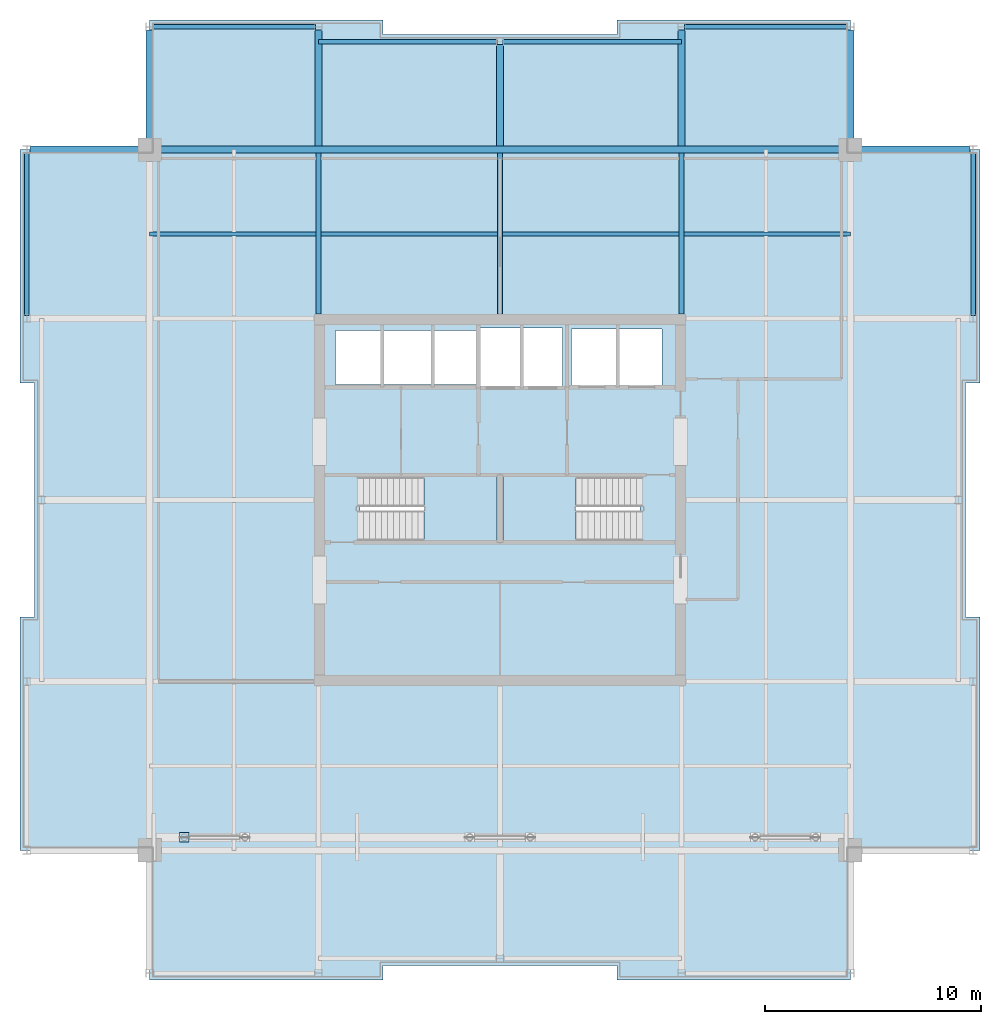
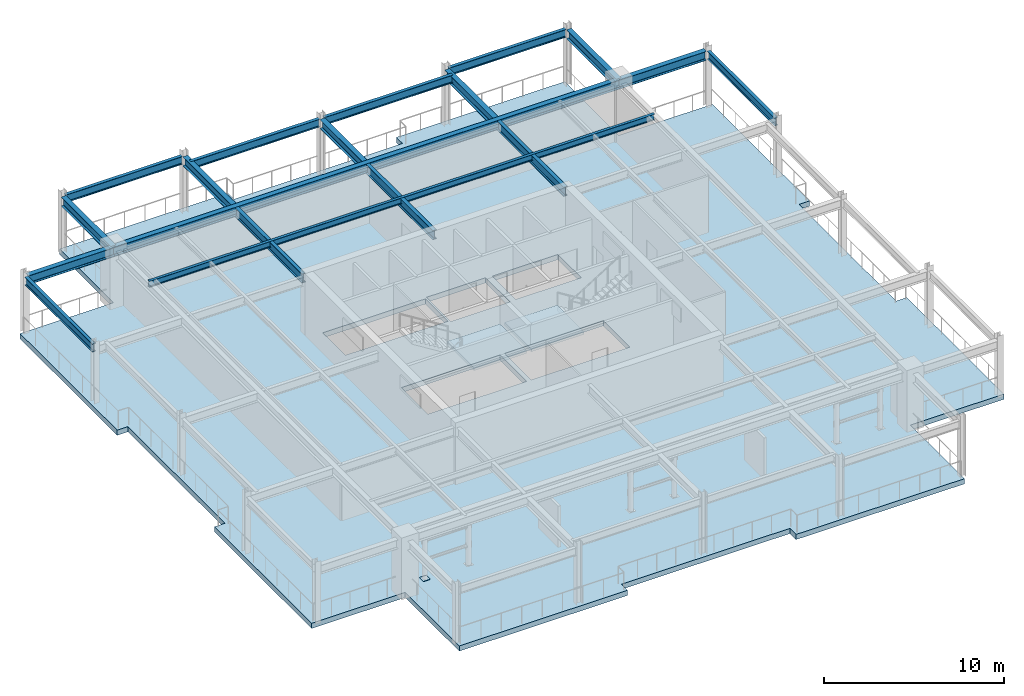
# One storey, part 7 of 13: 18 beams, 3 slabs, 1 plate, 2 elements without a shape of their own.
"""IFC4 building model written with IfcOpenShell, lengths in metres."""

import ifcopenshell
import ifcopenshell.guid

model = None  # the IFC model being written
_history = None  # IfcOwnerHistory: only IFC2X3 demands one
_inside = {}  # id of a spatial element -> (the spatial element, [elements in it])
_under = {}  # id of a project, library or spatial element -> (it, [spatial elements below it])
_declared = {}  # id of a project -> (the project, [libraries it declares])
_typed = {}  # id of a type object -> (the type object, [elements of that type])
_made_of = {}  # id of a material, layer set ... -> (it, [elements and type objects made of it])


def new_model(schema):
    """Start an empty IFC model of exactly this schema.

    Asked for "IFC4X3", IfcOpenShell would pick the latest addendum, in which some entities
    have other attributes; the version numbers below select the first issue.
    IFC2X3 requires an IfcOwnerHistory on every rooted entity: one is made here for all.
    """
    global model, _history
    if schema == "IFC4X3":
        model = ifcopenshell.file(schema_version=(4, 3, 0, 0))
    else:
        model = ifcopenshell.file(schema=schema)
    _inside.clear()
    _under.clear()
    _declared.clear()
    _typed.clear()
    _made_of.clear()
    _history = None
    if model.schema == "IFC2X3":
        org = make("IfcOrganization", Name="unknown")
        user = make(
            "IfcPersonAndOrganization",
            ThePerson=make("IfcPerson", FamilyName="unknown"),
            TheOrganization=org,
        )
        app = make(
            "IfcApplication",
            ApplicationDeveloper=org,
            Version="unknown",
            ApplicationFullName="unknown",
            ApplicationIdentifier="unknown",
        )
        _history = make(
            "IfcOwnerHistory",
            OwningUser=user,
            OwningApplication=app,
            ChangeAction="ADDED",
            CreationDate=0,
        )
    return model


def make(cls, **values):
    """One entity of the class cls with the attributes given. An attribute that is None is left unset."""
    return model.create_entity(
        cls, **{name: value for name, value in values.items() if value is not None}
    )


def rooted(cls, **values):
    """An entity with a GlobalId (a new one), such as an element, a storey or a relation."""
    return make(cls, GlobalId=ifcopenshell.guid.new(), OwnerHistory=_history, **values)


def si_unit(unit_type, name, prefix=None):
    """IfcSIUnit, for example si_unit("LENGTHUNIT", "METRE", prefix="MILLI")."""
    return make("IfcSIUnit", UnitType=unit_type, Prefix=prefix, Name=name)


def assignment(units):
    """IfcUnitAssignment: the units of a project."""
    return None if units is None else make("IfcUnitAssignment", Units=units)


def point(xyz):
    """IfcCartesianPoint."""
    return None if xyz is None else make("IfcCartesianPoint", Coordinates=xyz)


def direction(xyz):
    """IfcDirection."""
    return None if xyz is None else make("IfcDirection", DirectionRatios=xyz)


def frame(location, z_axis=None, x_axis=None):
    """IfcAxis2Placement3D, a coordinate frame: its origin and axes. An axis left out is left unset."""
    return make(
        "IfcAxis2Placement3D",
        Location=point(location),
        Axis=direction(z_axis),
        RefDirection=direction(x_axis),
    )


def frame_2d(location, x_axis=None):
    """IfcAxis2Placement2D, a coordinate frame in the plane: its origin and x axis."""
    return make(
        "IfcAxis2Placement2D", Location=point(location), RefDirection=direction(x_axis)
    )


def origin():
    """The frame at (0, 0, 0) with its axes left unset."""
    return frame((0.0, 0.0, 0.0))


def origin_2d():
    """The frame at (0, 0) in the plane with its x axis left unset."""
    return frame_2d((0.0, 0.0))


def place(relative_to, where):
    """IfcLocalPlacement: puts the frame where relative to a parent placement (None: the world)."""
    return make(
        "IfcLocalPlacement", PlacementRelTo=relative_to, RelativePlacement=where
    )


def context(
    kind, dimensions, precision=None, world=None, true_north=None, identifier=None
):
    """IfcGeometricRepresentationContext, for example the 3D "Model" context."""
    return make(
        "IfcGeometricRepresentationContext",
        ContextIdentifier=identifier,
        ContextType=kind,
        CoordinateSpaceDimension=dimensions,
        Precision=precision,
        WorldCoordinateSystem=world,
        TrueNorth=true_north,
    )


def subcontext(parent, identifier, kind, view, scale=None):
    """IfcGeometricRepresentationSubContext, for example "Body" below "Model"."""
    return make(
        "IfcGeometricRepresentationSubContext",
        ContextIdentifier=identifier,
        ContextType=kind,
        ParentContext=parent,
        TargetScale=scale,
        TargetView=view,
    )


def project(units=None, contexts=None):
    """IfcProject with its units and contexts."""
    return rooted(
        "IfcProject",
        Name="project",
        RepresentationContexts=contexts,
        UnitsInContext=assignment(units),
    )


def spatial(cls, under=None, at=None, **own):
    """A site, building, storey or space (cls), placed at a placement, below another one or the project."""
    s = rooted(cls, ObjectPlacement=at, **own)
    if under is not None:
        _under.setdefault(under.id(), (under, []))[1].append(s)
    return s


def polyline(points):
    """IfcPolyline through the points."""
    return make("IfcPolyline", Points=[point(p) for p in points])


def profile(cls, at=None, kind="AREA", **sizes):
    """A parametric profile (cls). Its sizes go by their IFC names, for example OverallWidth=200.0."""
    return make(cls, ProfileType=kind, Position=at, **sizes)


def rectangle(**sizes):
    """IfcRectangleProfileDef."""
    return profile("IfcRectangleProfileDef", **sizes)


def i_section(**sizes):
    """IfcIShapeProfileDef."""
    return profile("IfcIShapeProfileDef", **sizes)


def outline(outer, holes=None, kind="AREA"):
    """IfcArbitraryClosedProfileDef: a profile drawn as a closed curve; with holes, ...WithVoids."""
    if holes is None:
        return make("IfcArbitraryClosedProfileDef", ProfileType=kind, OuterCurve=outer)
    return make(
        "IfcArbitraryProfileDefWithVoids",
        ProfileType=kind,
        OuterCurve=outer,
        InnerCurves=holes,
    )


def extrude(swept, where, along, depth):
    """IfcExtrudedAreaSolid: the profile swept, set in the frame where, extruded along a direction by depth."""
    return make(
        "IfcExtrudedAreaSolid",
        SweptArea=swept,
        Position=where,
        ExtrudedDirection=direction(along),
        Depth=depth,
    )


def shape(context_of_items, identifier, shape_type, items):
    """IfcShapeRepresentation: the items that make up one representation, for example the "Body"."""
    return make(
        "IfcShapeRepresentation",
        ContextOfItems=context_of_items,
        RepresentationIdentifier=identifier,
        RepresentationType=shape_type,
        Items=items,
    )


def material(Name=None, Category=None):
    """IfcMaterial."""
    return make("IfcMaterial", Name=Name, Category=Category)


def layer(
    of_material, thickness, ventilated=None, Name=None, Category=None, Priority=None
):
    """IfcMaterialLayer: one layer of a wall or slab, of a material (None: an air gap)."""
    return make(
        "IfcMaterialLayer",
        Material=of_material,
        LayerThickness=thickness,
        IsVentilated=ventilated,
        Name=Name,
        Category=Category,
        Priority=Priority,
    )


def layer_set(layers, Name=None):
    """IfcMaterialLayerSet."""
    return make("IfcMaterialLayerSet", MaterialLayers=layers, LayerSetName=Name)


def material_profile(
    of_material, cross_section, Name=None, Category=None, Priority=None
):
    """IfcMaterialProfile: a cross section and its material."""
    return make(
        "IfcMaterialProfile",
        Name=Name,
        Material=of_material,
        Profile=cross_section,
        Priority=Priority,
        Category=Category,
    )


def profile_set(profiles, Name=None, composite=None):
    """IfcMaterialProfileSet."""
    return make(
        "IfcMaterialProfileSet",
        Name=Name,
        MaterialProfiles=profiles,
        CompositeProfile=composite,
    )


def made_of(thing, what):
    """Note that an element or type object is made of a material, layer set ...; save() writes the relation."""
    if what is not None:
        _made_of.setdefault(what.id(), (what, []))[1].append(thing)
    return thing


def type_object(cls, material=None, **own):
    """A type object (cls), such as IfcWallType, which elements share."""
    return made_of(rooted(cls, **own), material)


def element(
    cls,
    number,
    at=None,
    inside=None,
    cuts=None,
    type_object=None,
    material=None,
    context=None,
    identifier="Body",
    shape_type=None,
    held_by="IfcProductDefinitionShape",
    body=None,
    shapes=None,
    **own,
):
    """One element of the class cls, such as IfcWall. Its Tag is "e" and its number.

    at: its placement. inside: the storey or other place that contains it. cuts: it is an
    opening in that element (IfcRelVoidsElement). A single representation is given by context,
    identifier, shape_type and body (its items); several are given by shapes. held_by: the class
    of the entity that holds the representations. save() writes the other relations.
    """
    e = rooted(cls, Tag="e%d" % number, ObjectPlacement=at, **own)
    if body is not None:
        shapes = [shape(context, identifier, shape_type, body)]
    if shapes is not None:
        e.Representation = make(held_by, Representations=shapes)
    if inside is not None:
        _inside.setdefault(inside.id(), (inside, []))[1].append(e)
    if cuts is not None:
        rooted(
            "IfcRelVoidsElement", RelatingBuildingElement=cuts, RelatedOpeningElement=e
        )
    if type_object is not None:
        _typed.setdefault(type_object.id(), (type_object, []))[1].append(e)
    return made_of(e, material)


def aggregate(whole, parts):
    """IfcRelAggregates: a whole, such as a stair, and the parts it consists of."""
    return rooted("IfcRelAggregates", RelatingObject=whole, RelatedObjects=parts)


def save(model, path):
    """Write the relations noted so far, then the file.

    IfcRelAggregates (storeys below a building ...), IfcRelContainedInSpatialStructure (elements
    in a storey), IfcRelDefinesByType, IfcRelAssociatesMaterial and IfcRelDeclares: one each for
    every whole, place, type object, material and project.
    """
    for whole, parts in _under.values():
        aggregate(whole, parts)
    for where, things in _inside.values():
        rooted(
            "IfcRelContainedInSpatialStructure",
            RelatedElements=things,
            RelatingStructure=where,
        )
    for kind, things in _typed.values():
        rooted("IfcRelDefinesByType", RelatedObjects=things, RelatingType=kind)
    for what, things in _made_of.values():
        rooted("IfcRelAssociatesMaterial", RelatedObjects=things, RelatingMaterial=what)
    for by, libraries in _declared.values():
        rooted("IfcRelDeclares", RelatingContext=by, RelatedDefinitions=libraries)
    model.write(path)


model = new_model("IFC4")

# Units and contexts
model_context = context("Model", 3, precision=1e-05, world=origin(), true_north=direction((0.0, 1.0)))
body_context = subcontext(model_context, "Body", "Model", "MODEL_VIEW")
ifc_project = project(units=[si_unit("LENGTHUNIT", "METRE"), si_unit("AREAUNIT", "SQUARE_METRE"), si_unit("VOLUMEUNIT", "CUBIC_METRE"), si_unit("PLANEANGLEUNIT", "RADIAN"), si_unit("MASSUNIT", "GRAM", prefix="KILO")], contexts=[model_context])

# Site, building, storey
site_placement = place(None, origin())
site = spatial("IfcSite", under=ifc_project, at=site_placement, CompositionType="ELEMENT")
building_placement = place(site_placement, origin())
building = spatial("IfcBuilding", under=site, at=building_placement, Name="Drelvath Grand Hotel", CompositionType="ELEMENT")
storey_placement = place(building_placement, frame((0.0, 0.0, 303.0)))
storey = spatial("IfcBuildingStorey", under=building, at=storey_placement, Name="L79", CompositionType="ELEMENT", Elevation=303.0)

# Beams
ifc_material_1 = material(Name="Steel ASTM A992 Gr 50", Category="steel")
ifc_material_profile_1 = material_profile(ifc_material_1, i_section(OverallWidth=0.177734375, OverallDepth=0.40673828125, WebThickness=0.0078125, FlangeThickness=0.0126953125, FilletRadius=0.014892578125, at=origin_2d()), Name="W16X40")
ifc_profile_set_1 = profile_set([ifc_material_profile_1], Name="Steel ASTM A992 Gr 50")
beam_type_1 = type_object("IfcBeamType", Name="Composite Floor Joist W16X40", PredefinedType="JOIST", material=ifc_profile_set_1)
beam_1_placement = place(storey_placement, frame((-16.199951171875, 39.300048828125, 3.646728515625), z_axis=(1.0, 0.0, 0.0), x_axis=(0.0, 1.0, 0.0)))
element("IfcBeam", 1, at=beam_1_placement, inside=storey, type_object=beam_type_1, Name="L79 Floor Joist J2", PredefinedType="JOIST", context=body_context, shape_type="SweptSolid", body=[
    extrude(i_section(OverallWidth=0.177734375, OverallDepth=0.40673828125, WebThickness=0.0078125, FlangeThickness=0.0126953125, FilletRadius=0.014892578125, at=origin_2d()), origin(), (0.0, 0.0, 1.0), 32.39990234375),
])
ifc_material_profile_2 = material_profile(ifc_material_1, i_section(OverallWidth=0.210205078125, OverallDepth=0.53662109375, WebThickness=0.010986328125, FlangeThickness=0.017333984375, FilletRadius=0.01806640625, at=origin_2d()), Name="W21X68")
ifc_profile_set_2 = profile_set([ifc_material_profile_2], Name="Steel ASTM A992 Gr 50")
beam_type_2 = type_object("IfcBeamType", Name="Perimeter Spandrel Beam W21X68", PredefinedType="SPANDREL", material=ifc_profile_set_2)
for number, where, z_axis, x_axis, name in (
    (2, (-21.8798828125, 35.5400390625, 3.581787109375), (0.0, 1.0, 0.0), (-1.0, 0.0, 0.0), "L79 Spandrel West N"),
    (3, (21.8798828125, 35.5400390625, 3.581787109375), (0.0, 1.0, 0.0), (-1.0, 0.0, 0.0), "L79 Spandrel East N"),
    (4, (-16.06005859375, 48.8798828125, 3.581787109375), (1.0, 0.0, 0.0), (0.0, 1.0, 0.0), "L79 Spandrel North W"),
):
    element("IfcBeam", number, at=place(storey_placement, frame(where, z_axis=z_axis, x_axis=x_axis)), inside=storey, type_object=beam_type_2, Name=name, PredefinedType="SPANDREL", context=body_context, shape_type="SweptSolid", body=[
        extrude(i_section(OverallWidth=0.210205078125, OverallDepth=0.53662109375, WebThickness=0.010986328125, FlangeThickness=0.017333984375, FilletRadius=0.01806640625, at=origin_2d()), origin(), (0.0, 0.0, 1.0), 7.52001953125),
    ])
for number, where, z_axis, x_axis, name in (
    (5, (-8.39990234375, 48.199951171875, 3.581787109375), (1.0, 0.0, 0.0), (0.0, 1.0, 0.0), "L79 Spandrel North Mid W"),
    (6, (0.139892578125, 48.199951171875, 3.581787109375), (1.0, 0.0, 0.0), (0.0, 1.0, 0.0), "L79 Spandrel North Mid E"),
):
    element("IfcBeam", number, at=place(storey_placement, frame(where, z_axis=z_axis, x_axis=x_axis)), inside=storey, type_object=beam_type_2, Name=name, PredefinedType="SPANDREL", context=body_context, shape_type="SweptSolid", body=[
        extrude(i_section(OverallWidth=0.210205078125, OverallDepth=0.53662109375, WebThickness=0.010986328125, FlangeThickness=0.017333984375, FilletRadius=0.01806640625, at=origin_2d()), origin(), (0.0, 0.0, 1.0), 8.260009765625),
    ])
beam_2_placement = place(storey_placement, frame((8.5400390625, 48.8798828125, 3.581787109375), z_axis=(1.0, 0.0, 0.0), x_axis=(0.0, 1.0, 0.0)))
element("IfcBeam", 7, at=beam_2_placement, inside=storey, type_object=beam_type_2, Name="L79 Spandrel North E", PredefinedType="SPANDREL", context=body_context, shape_type="SweptSolid", body=[
    extrude(i_section(OverallWidth=0.210205078125, OverallDepth=0.53662109375, WebThickness=0.010986328125, FlangeThickness=0.017333984375, FilletRadius=0.01806640625, at=origin_2d()), origin(), (0.0, 0.0, 1.0), 7.52001953125),
])
ifc_material_profile_3 = material_profile(ifc_material_1, i_section(OverallWidth=0.323974609375, OverallDepth=0.611083984375, WebThickness=0.0126953125, FlangeThickness=0.01904296875, FilletRadius=0.02197265625, at=origin_2d()), Name="W24X104")
ifc_profile_set_3 = profile_set([ifc_material_profile_3], Name="Steel ASTM A992 Gr 50")
beam_type_3 = type_object("IfcBeamType", Name="Primary Floor Girder W24X104", PredefinedType="BEAM", material=ifc_profile_set_3)
beam_3_placement = place(storey_placement, frame((-16.199951171875, 43.199951171875, 3.54443359375), z_axis=(1.0, 0.0, 0.0), x_axis=(0.0, 1.0, 0.0)))
element("IfcBeam", 8, at=beam_3_placement, inside=storey, type_object=beam_type_3, Name="L79 Mega Ring Girder North", PredefinedType="BEAM", context=body_context, shape_type="SweptSolid", body=[
    extrude(i_section(OverallWidth=0.323974609375, OverallDepth=0.611083984375, WebThickness=0.0126953125, FlangeThickness=0.01904296875, FilletRadius=0.02197265625, at=origin_2d()), origin(), (0.0, 0.0, 1.0), 32.39990234375),
])
for number, where, z_axis, x_axis, name in (
    (9, (-21.739990234375, 43.199951171875, 3.54443359375), (1.0, 0.0, 0.0), (0.0, 1.0, 0.0), "L79 West Grid Girder G"),
    (10, (16.199951171875, 43.199951171875, 3.54443359375), (1.0, 0.0, 0.0), (0.0, 1.0, 0.0), "L79 East Grid Girder G"),
    (11, (-16.199951171875, 43.199951171875, 3.54443359375), (0.0, 1.0, 0.0), (-1.0, 0.0, 0.0), "L79 North Grid Girder 3"),
    (12, (16.199951171875, 43.199951171875, 3.54443359375), (0.0, 1.0, 0.0), (-1.0, 0.0, 0.0), "L79 North Grid Girder 7"),
):
    element("IfcBeam", number, at=place(storey_placement, frame(where, z_axis=z_axis, x_axis=x_axis)), inside=storey, type_object=beam_type_3, Name=name, PredefinedType="BEAM", context=body_context, shape_type="SweptSolid", body=[
        extrude(i_section(OverallWidth=0.323974609375, OverallDepth=0.611083984375, WebThickness=0.0126953125, FlangeThickness=0.01904296875, FilletRadius=0.02197265625, at=origin_2d()), origin(), (0.0, 0.0, 1.0), 5.5400390625),
    ])
beam_4_placement = place(storey_placement, frame((-8.39990234375, 43.362060546875, 3.54443359375), z_axis=(0.0, 1.0, 0.0), x_axis=(-1.0, 0.0, 0.0)))
element("IfcBeam", 13, at=beam_4_placement, inside=storey, type_object=beam_type_3, Name="L79 North Wing Girder 4", PredefinedType="BEAM", context=body_context, shape_type="SweptSolid", body=[
    extrude(i_section(OverallWidth=0.323974609375, OverallDepth=0.611083984375, WebThickness=0.0126953125, FlangeThickness=0.01904296875, FilletRadius=0.02197265625, at=origin_2d()), origin(), (0.0, 0.0, 1.0), 5.3779296875),
])
beam_5_placement = place(storey_placement, frame((0.0, 43.362060546875, 3.54443359375), z_axis=(0.0, 1.0, 0.0), x_axis=(-1.0, 0.0, 0.0)))
element("IfcBeam", 14, at=beam_5_placement, inside=storey, type_object=beam_type_3, Name="L79 North Wing Girder 5", PredefinedType="BEAM", context=body_context, shape_type="SweptSolid", body=[
    extrude(i_section(OverallWidth=0.323974609375, OverallDepth=0.611083984375, WebThickness=0.0126953125, FlangeThickness=0.01904296875, FilletRadius=0.02197265625, at=origin_2d()), origin(), (0.0, 0.0, 1.0), 4.697998046875),
])
beam_6_placement = place(storey_placement, frame((8.39990234375, 43.362060546875, 3.54443359375), z_axis=(0.0, 1.0, 0.0), x_axis=(-1.0, 0.0, 0.0)))
element("IfcBeam", 15, at=beam_6_placement, inside=storey, type_object=beam_type_3, Name="L79 North Wing Girder 6", PredefinedType="BEAM", context=body_context, shape_type="SweptSolid", body=[
    extrude(i_section(OverallWidth=0.323974609375, OverallDepth=0.611083984375, WebThickness=0.0126953125, FlangeThickness=0.01904296875, FilletRadius=0.02197265625, at=origin_2d()), origin(), (0.0, 0.0, 1.0), 5.3779296875),
])
ifc_material_profile_4 = material_profile(ifc_material_1, i_section(OverallWidth=0.228271484375, OverallDepth=0.607666015625, WebThickness=0.01123046875, FlangeThickness=0.017333984375, FilletRadius=0.02001953125, at=origin_2d()), Name="W24X76")
ifc_profile_set_4 = profile_set([ifc_material_profile_4], Name="Steel ASTM A992 Gr 50")
beam_type_4 = type_object("IfcBeamType", Name="Primary Floor Girder W24X76", PredefinedType="BEAM", material=ifc_profile_set_4)
for number, where, z_axis, x_axis, name in (
    (16, (-8.39990234375, 35.60009765625, 3.546142578125), (0.0, 1.0, 0.0), (-1.0, 0.0, 0.0), "L79 North Core Tie 4"),
    (17, (0.0, 35.60009765625, 3.546142578125), (0.0, 1.0, 0.0), (-1.0, 0.0, 0.0), "L79 North Core Tie 5"),
    (18, (8.39990234375, 35.60009765625, 3.546142578125), (0.0, 1.0, 0.0), (-1.0, 0.0, 0.0), "L79 North Core Tie 6"),
):
    element("IfcBeam", number, at=place(storey_placement, frame(where, z_axis=z_axis, x_axis=x_axis)), inside=storey, type_object=beam_type_4, Name=name, PredefinedType="BEAM", context=body_context, shape_type="SweptSolid", body=[
        extrude(i_section(OverallWidth=0.228271484375, OverallDepth=0.607666015625, WebThickness=0.01123046875, FlangeThickness=0.017333984375, FilletRadius=0.02001953125, at=origin_2d()), origin(), (0.0, 0.0, 1.0), 7.43798828125),
    ])

# Slab
ifc_material_2 = material(Name="Concrete f'c 40 MPa", Category="concrete")
ifc_layer_1 = layer(ifc_material_2, 0.35009765625)
ifc_layer_set_1 = layer_set([ifc_layer_1], Name="Concrete f'c 40 MPa")
slab_type_1 = type_object("IfcSlabType", Name="Composite RC Floor Slab 350", PredefinedType="FLOOR", material=ifc_layer_set_1)
slab_1_placement = place(storey_placement, frame((0.0, 0.0, -0.35009765625)))
element("IfcSlab", 19, at=slab_1_placement, inside=storey, type_object=slab_type_1, Name="L79 Structural Floor Slab", PredefinedType="FLOOR", context=body_context, shape_type="SweptSolid", body=[
    extrude(outline(polyline([(-16.199951171875, 4.800048828125), (-5.39990234375, 4.800048828125), (-5.39990234375, 5.47998046875), (5.39990234375, 5.47998046875), (5.39990234375, 4.800048828125), (16.199951171875, 4.800048828125), (16.199951171875, 10.800048828125), (22.199951171875, 10.800048828125), (22.199951171875, 21.60009765625), (21.52001953125, 21.60009765625), (21.52001953125, 32.39990234375), (22.199951171875, 32.39990234375), (22.199951171875, 43.199951171875), (16.199951171875, 43.199951171875), (16.199951171875, 49.199951171875), (5.39990234375, 49.199951171875), (5.39990234375, 48.52001953125), (-5.39990234375, 48.52001953125), (-5.39990234375, 49.199951171875), (-16.199951171875, 49.199951171875), (-16.199951171875, 43.199951171875), (-22.199951171875, 43.199951171875), (-22.199951171875, 32.39990234375), (-21.52001953125, 32.39990234375), (-21.52001953125, 21.60009765625), (-22.199951171875, 21.60009765625), (-22.199951171875, 10.800048828125), (-16.199951171875, 10.800048828125), (-16.199951171875, 4.800048828125)]), holes=[polyline([(-6.47998046875, 25.1201171875), (-6.47998046875, 28.080078125), (-0.14990234375, 28.080078125), (-0.14990234375, 25.1201171875), (-6.47998046875, 25.1201171875)]), polyline([(0.14990234375, 25.1201171875), (0.14990234375, 28.080078125), (6.47998046875, 28.080078125), (6.47998046875, 25.1201171875), (0.14990234375, 25.1201171875)]), polyline([(-7.60009765625, 32.35009765625), (-7.60009765625, 34.85009765625), (-1.02001953125, 34.85009765625), (-1.02001953125, 32.35009765625), (-7.60009765625, 32.35009765625)]), polyline([(-0.89990234375, 32.25), (-0.89990234375, 34.949951171875), (2.89990234375, 34.949951171875), (2.89990234375, 32.25), (-0.89990234375, 32.25)]), polyline([(3.300048828125, 32.300048828125), (3.300048828125, 34.89990234375), (7.5, 34.89990234375), (7.5, 32.300048828125), (3.300048828125, 32.300048828125)])]), origin(), (0.0, 0.0, 1.0), 0.35009765625),
])

# Stair, slab
ifc_material_3 = material(Name="Concrete C40/50", Category="concrete")
stair_type = type_object("IfcStairType", Name="Dogleg Exit Stair W1400-R175.0", PredefinedType="HALF_TURN_STAIR", material=ifc_material_3)
stair_1_placement = place(storey_placement, origin())
stair_1 = element("IfcStair", 20, at=stair_1_placement, inside=storey, type_object=stair_type, Name="L79 Core Exit Stair ST-1", PredefinedType="HALF_TURN_STAIR")
ifc_layer_2 = layer(ifc_material_3, 0.199951171875)
ifc_layer_set_2 = layer_set([ifc_layer_2], Name="Concrete C40/50")
slab_type_2 = type_object("IfcSlabType", Name="Concrete Stair Landing Slab 200", PredefinedType="LANDING", material=ifc_layer_set_2)
slab_2_placement = place(storey_placement, frame((0.0, 0.0, 1.89990234375)))
slab_2 = element("IfcSlab", 21, at=slab_2_placement, type_object=slab_type_2, Name="ST-1 landing 1", PredefinedType="LANDING", context=body_context, shape_type="SweptSolid", body=[
    extrude(outline(polyline([(-3.52001953125, 25.1201171875), (-0.14990234375, 25.1201171875), (-0.14990234375, 28.080078125), (-3.52001953125, 28.080078125), (-3.52001953125, 25.1201171875)])), origin(), (0.0, 0.0, 1.0), 0.2001953125),
])
aggregate(stair_1, [slab_2])

stair_2_placement = place(storey_placement, origin())
stair_2 = element("IfcStair", 22, at=stair_2_placement, inside=storey, type_object=stair_type, Name="L79 Core Exit Stair ST-2", PredefinedType="HALF_TURN_STAIR")
slab_3_placement = place(storey_placement, frame((0.0, 0.0, 1.89990234375)))
slab_3 = element("IfcSlab", 23, at=slab_3_placement, type_object=slab_type_2, Name="ST-2 landing 1", PredefinedType="LANDING", context=body_context, shape_type="SweptSolid", body=[
    extrude(outline(polyline([(3.52001953125, 28.080078125), (0.14990234375, 28.080078125), (0.14990234375, 25.1201171875), (3.52001953125, 25.1201171875), (3.52001953125, 28.080078125)])), origin(), (0.0, 0.0, 1.0), 0.2001953125),
])
aggregate(stair_2, [slab_3])

# Plate
ifc_material_4 = material(Name="Steel ASTM A572 Gr 50", Category="steel")
ifc_layer_3 = layer(ifc_material_4, 0.02490234375)
ifc_layer_set_3 = layer_set([ifc_layer_3], Name="Steel ASTM A572 Gr 50")
plate_type = type_object("IfcPlateType", Name="Hollow Section End Cap Plate 25mm", PredefinedType="SHEET", material=ifc_layer_set_3)
plate_placement = place(storey_placement, frame((-14.60009765625, 11.39990234375, 0.00244140625), z_axis=(0.0, 0.0, 1.0), x_axis=(1.0, 0.0, 0.0)))
element("IfcPlate", 24, at=plate_placement, inside=storey, type_object=plate_type, Name="L79 Wind Turbine Pedestal Base Plate WT-1-L", PredefinedType="SHEET", context=body_context, shape_type="SweptSolid", body=[
    extrude(rectangle(XDim=0.43994140625, YDim=0.43994140625, at=origin_2d()), origin(), (0.0, 0.0, 1.0), 0.02490234375),
])

save(model, "model.ifc")
